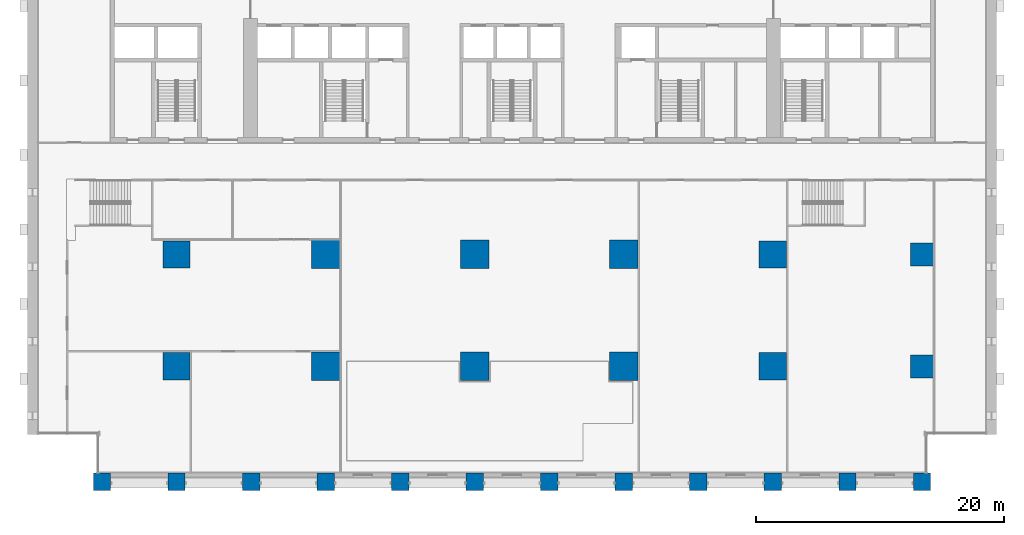
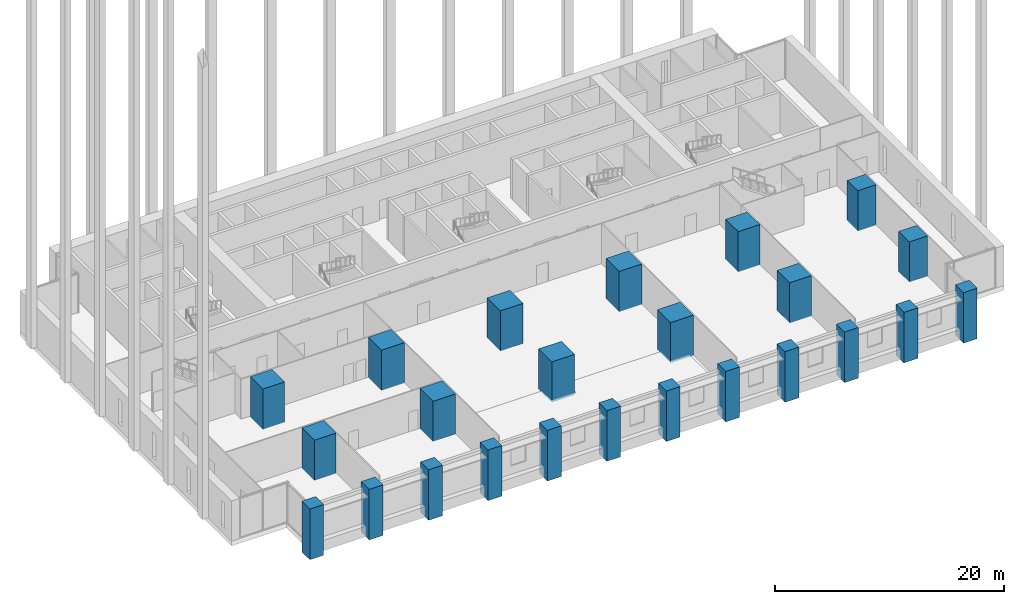
# One storey, part 1 of 17: 24 columns.
"""IFC4 building model written with IfcOpenShell, lengths in metres."""

from ifc_helpers import new_model, si_unit, direction, frame, origin, origin_2d, place, context, subcontext, project, spatial, rectangle, extrude, material, material_profile, profile_set, type_object, element, save


model = new_model("IFC4")

# Units and contexts
model_context = context("Model", 3, precision=1e-05, world=origin(), true_north=direction((0.0, 1.0)))
body_context = subcontext(model_context, "Body", "Model", "MODEL_VIEW")
ifc_project = project(units=[si_unit("LENGTHUNIT", "METRE"), si_unit("AREAUNIT", "SQUARE_METRE"), si_unit("VOLUMEUNIT", "CUBIC_METRE"), si_unit("PLANEANGLEUNIT", "RADIAN"), si_unit("MASSUNIT", "GRAM", prefix="KILO")], contexts=[model_context])

# Site, building, storey
site_placement = place(None, origin())
site = spatial("IfcSite", under=ifc_project, at=site_placement, CompositionType="ELEMENT")
building_placement = place(site_placement, origin())
building = spatial("IfcBuilding", under=site, at=building_placement, Name="Calvaro Tower", CompositionType="ELEMENT")
storey_placement = place(building_placement, frame((0.0, 0.0, 6.5)))
storey = spatial("IfcBuildingStorey", under=building, at=storey_placement, Name="L01", CompositionType="ELEMENT", Elevation=6.5)

# Columns
ifc_material_1 = material(Name="Concrete C80/95", Category="concrete")
ifc_material_profile_1 = material_profile(ifc_material_1, rectangle(XDim=1.85009765625, YDim=1.85009765625, at=origin_2d()), Name="RC 1850x1850")
ifc_profile_set_1 = profile_set([ifc_material_profile_1], Name="Concrete C80/95")
column_type_1 = type_object("IfcColumnType", Name="Mega-column 1850x1850 C80/95", PredefinedType="COLUMN", material=ifc_profile_set_1)
for number, where, z_axis, x_axis, name in (
    (1, (72.0, 10.0, 0.0), (0.0, 0.0, 1.0), (1.0, 0.0, 0.0), "Mega-column 13B"),
    (2, (72.0, 19.0, 0.0), (0.0, 0.0, 1.0), (1.0, 0.0, 0.0), "Mega-column 13C"),
):
    element("IfcColumn", number, at=place(storey_placement, frame(where, z_axis=z_axis, x_axis=x_axis)), inside=storey, type_object=column_type_1, Name=name, PredefinedType="COLUMN", context=body_context, shape_type="SweptSolid", body=[
        extrude(rectangle(XDim=1.85009765625, YDim=1.85009765625, at=origin_2d()), origin(), (0.0, 0.0, 1.0), 4.300048828125),
    ])
ifc_material_2 = material(Name="Concrete C80/95", Category="concrete")
ifc_material_profile_2 = material_profile(ifc_material_2, rectangle(XDim=2.199951171875, YDim=2.199951171875, at=origin_2d()), Name="RC 2200x2200")
ifc_profile_set_2 = profile_set([ifc_material_profile_2], Name="Concrete C80/95")
column_type_2 = type_object("IfcColumnType", Name="Mega-column 2200x2200 C80/95", PredefinedType="COLUMN", material=ifc_profile_set_2)
for number, where, z_axis, x_axis, name in (
    (3, (12.0, 10.0, 0.0), (0.0, 0.0, 1.0), (1.0, 0.0, 0.0), "Mega-column 3B"),
    (4, (12.0, 19.0, 0.0), (0.0, 0.0, 1.0), (1.0, 0.0, 0.0), "Mega-column 3C"),
    (5, (60.0, 10.0, 0.0), (0.0, 0.0, 1.0), (1.0, 0.0, 0.0), "Mega-column 11B"),
    (6, (60.0, 19.0, 0.0), (0.0, 0.0, 1.0), (1.0, 0.0, 0.0), "Mega-column 11C"),
):
    element("IfcColumn", number, at=place(storey_placement, frame(where, z_axis=z_axis, x_axis=x_axis)), inside=storey, type_object=column_type_2, Name=name, PredefinedType="COLUMN", context=body_context, shape_type="SweptSolid", body=[
        extrude(rectangle(XDim=2.199951171875, YDim=2.199951171875, at=origin_2d()), origin(), (0.0, 0.0, 1.0), 4.300048828125),
    ])
ifc_material_3 = material(Name="Concrete C80/95", Category="concrete")
ifc_material_profile_3 = material_profile(ifc_material_3, rectangle(XDim=2.300048828125, YDim=2.300048828125, at=origin_2d()), Name="RC 2300x2300")
ifc_profile_set_3 = profile_set([ifc_material_profile_3], Name="Concrete C80/95")
column_type_3 = type_object("IfcColumnType", Name="Mega-column 2300x2300 C80/95", PredefinedType="COLUMN", material=ifc_profile_set_3)
for number, where, z_axis, x_axis, name in (
    (7, (24.0, 10.0, 0.0), (0.0, 0.0, 1.0), (1.0, 0.0, 0.0), "Mega-column 5B"),
    (8, (24.0, 19.0, 0.0), (0.0, 0.0, 1.0), (1.0, 0.0, 0.0), "Mega-column 5C"),
    (9, (36.0, 10.0, 0.0), (0.0, 0.0, 1.0), (1.0, 0.0, 0.0), "Mega-column 7B"),
    (10, (36.0, 19.0, 0.0), (0.0, 0.0, 1.0), (1.0, 0.0, 0.0), "Mega-column 7C"),
    (11, (48.0, 10.0, 0.0), (0.0, 0.0, 1.0), (1.0, 0.0, 0.0), "Mega-column 9B"),
    (12, (48.0, 19.0, 0.0), (0.0, 0.0, 1.0), (1.0, 0.0, 0.0), "Mega-column 9C"),
):
    element("IfcColumn", number, at=place(storey_placement, frame(where, z_axis=z_axis, x_axis=x_axis)), inside=storey, type_object=column_type_3, Name=name, PredefinedType="COLUMN", context=body_context, shape_type="SweptSolid", body=[
        extrude(rectangle(XDim=2.300048828125, YDim=2.300048828125, at=origin_2d()), origin(), (0.0, 0.0, 1.0), 4.300048828125),
    ])
ifc_material_4 = material(Name="Concrete C80/95", Category="concrete")
ifc_material_profile_4 = material_profile(ifc_material_4, rectangle(XDim=1.39990234375, YDim=1.39990234375, at=origin_2d()), Name="RC 1400x1400")
ifc_profile_set_4 = profile_set([ifc_material_profile_4], Name="Concrete C80/95")
column_type_4 = type_object("IfcColumnType", Name="Pier 1400x1400 C80/95", PredefinedType="COLUMN", material=ifc_profile_set_4)
for number, where, z_axis, x_axis, name in (
    (13, (6.0, 0.699951171875, -1.10009765625), (0.0, 0.0, 1.0), (1.0, 0.0, 0.0), "South pier 2"),
    (14, (12.0, 0.699951171875, -1.10009765625), (0.0, 0.0, 1.0), (1.0, 0.0, 0.0), "South pier 3"),
    (15, (18.0, 0.699951171875, -1.10009765625), (0.0, 0.0, 1.0), (1.0, 0.0, 0.0), "South pier 4"),
    (16, (24.0, 0.699951171875, -1.10009765625), (0.0, 0.0, 1.0), (1.0, 0.0, 0.0), "South pier 5"),
    (17, (30.0, 0.699951171875, -1.10009765625), (0.0, 0.0, 1.0), (1.0, 0.0, 0.0), "South pier 6"),
    (18, (36.0, 0.699951171875, -1.10009765625), (0.0, 0.0, 1.0), (1.0, 0.0, 0.0), "South pier 7"),
    (19, (42.0, 0.699951171875, -1.10009765625), (0.0, 0.0, 1.0), (1.0, 0.0, 0.0), "South pier 8"),
    (20, (48.0, 0.699951171875, -1.10009765625), (0.0, 0.0, 1.0), (1.0, 0.0, 0.0), "South pier 9"),
    (21, (54.0, 0.699951171875, -1.10009765625), (0.0, 0.0, 1.0), (1.0, 0.0, 0.0), "South pier 10"),
    (22, (60.0, 0.699951171875, -1.10009765625), (0.0, 0.0, 1.0), (1.0, 0.0, 0.0), "South pier 11"),
    (23, (66.0, 0.699951171875, -1.10009765625), (0.0, 0.0, 1.0), (1.0, 0.0, 0.0), "South pier 12"),
    (24, (72.0, 0.699951171875, -1.10009765625), (0.0, 0.0, 1.0), (1.0, 0.0, 0.0), "South pier 13"),
):
    element("IfcColumn", number, at=place(storey_placement, frame(where, z_axis=z_axis, x_axis=x_axis)), inside=storey, type_object=column_type_4, Name=name, PredefinedType="COLUMN", context=body_context, shape_type="SweptSolid", body=[
        extrude(rectangle(XDim=1.39990234375, YDim=1.39990234375, at=origin_2d()), origin(), (0.0, 0.0, 1.0), 5.400146484375),
    ])

save(model, "model.ifc")
